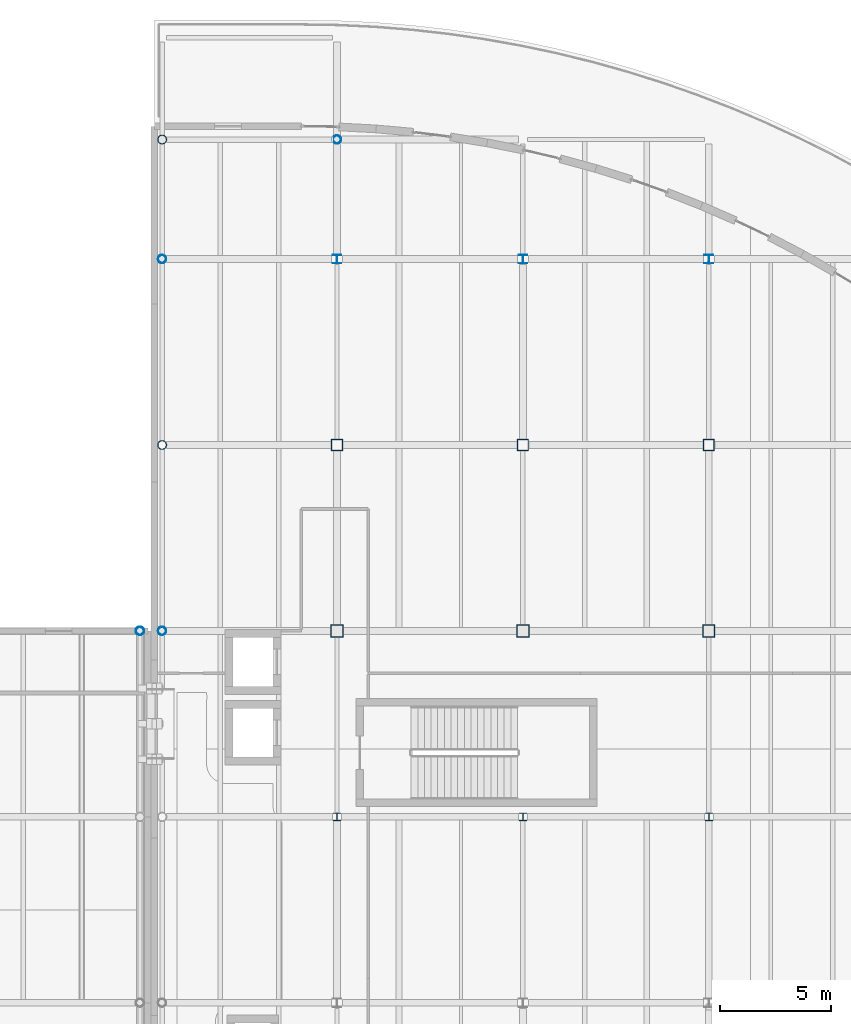
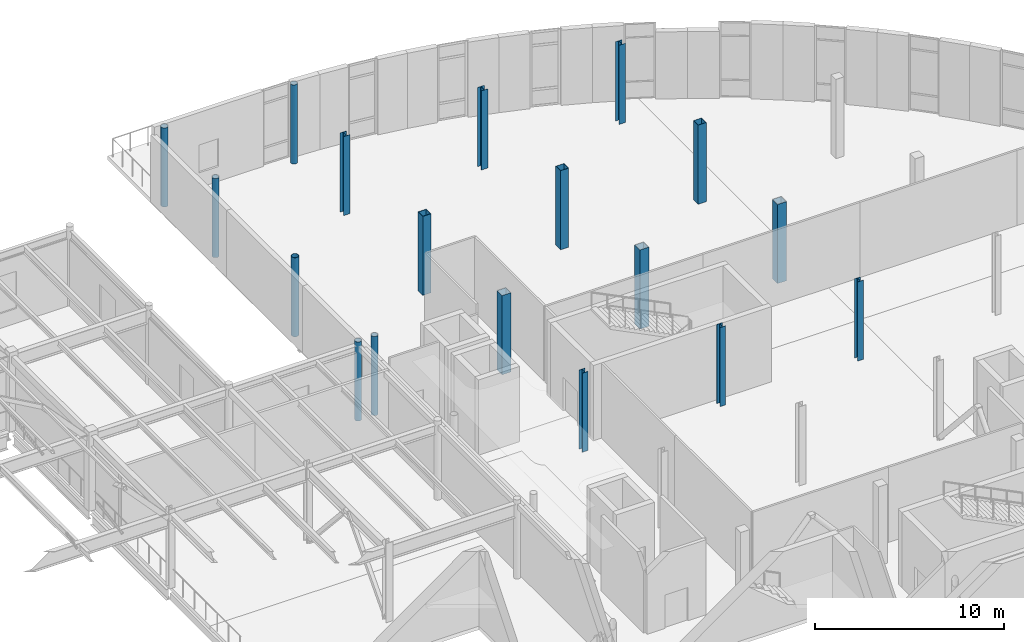
# One storey, part 9 of 103: 18 columns.
"""IFC4 building model written with IfcOpenShell, lengths in metres."""

import ifcopenshell
import ifcopenshell.guid

model = None  # the IFC model being written
_history = None  # IfcOwnerHistory: only IFC2X3 demands one
_inside = {}  # id of a spatial element -> (the spatial element, [elements in it])
_under = {}  # id of a project, library or spatial element -> (it, [spatial elements below it])
_declared = {}  # id of a project -> (the project, [libraries it declares])
_typed = {}  # id of a type object -> (the type object, [elements of that type])
_made_of = {}  # id of a material, layer set ... -> (it, [elements and type objects made of it])


def new_model(schema):
    """Start an empty IFC model of exactly this schema.

    Asked for "IFC4X3", IfcOpenShell would pick the latest addendum, in which some entities
    have other attributes; the version numbers below select the first issue.
    IFC2X3 requires an IfcOwnerHistory on every rooted entity: one is made here for all.
    """
    global model, _history
    if schema == "IFC4X3":
        model = ifcopenshell.file(schema_version=(4, 3, 0, 0))
    else:
        model = ifcopenshell.file(schema=schema)
    _inside.clear()
    _under.clear()
    _declared.clear()
    _typed.clear()
    _made_of.clear()
    _history = None
    if model.schema == "IFC2X3":
        org = make("IfcOrganization", Name="unknown")
        user = make(
            "IfcPersonAndOrganization",
            ThePerson=make("IfcPerson", FamilyName="unknown"),
            TheOrganization=org,
        )
        app = make(
            "IfcApplication",
            ApplicationDeveloper=org,
            Version="unknown",
            ApplicationFullName="unknown",
            ApplicationIdentifier="unknown",
        )
        _history = make(
            "IfcOwnerHistory",
            OwningUser=user,
            OwningApplication=app,
            ChangeAction="ADDED",
            CreationDate=0,
        )
    return model


def make(cls, **values):
    """One entity of the class cls with the attributes given. An attribute that is None is left unset."""
    return model.create_entity(
        cls, **{name: value for name, value in values.items() if value is not None}
    )


def rooted(cls, **values):
    """An entity with a GlobalId (a new one), such as an element, a storey or a relation."""
    return make(cls, GlobalId=ifcopenshell.guid.new(), OwnerHistory=_history, **values)


def si_unit(unit_type, name, prefix=None):
    """IfcSIUnit, for example si_unit("LENGTHUNIT", "METRE", prefix="MILLI")."""
    return make("IfcSIUnit", UnitType=unit_type, Prefix=prefix, Name=name)


def assignment(units):
    """IfcUnitAssignment: the units of a project."""
    return None if units is None else make("IfcUnitAssignment", Units=units)


def point(xyz):
    """IfcCartesianPoint."""
    return None if xyz is None else make("IfcCartesianPoint", Coordinates=xyz)


def direction(xyz):
    """IfcDirection."""
    return None if xyz is None else make("IfcDirection", DirectionRatios=xyz)


def frame(location, z_axis=None, x_axis=None):
    """IfcAxis2Placement3D, a coordinate frame: its origin and axes. An axis left out is left unset."""
    return make(
        "IfcAxis2Placement3D",
        Location=point(location),
        Axis=direction(z_axis),
        RefDirection=direction(x_axis),
    )


def frame_2d(location, x_axis=None):
    """IfcAxis2Placement2D, a coordinate frame in the plane: its origin and x axis."""
    return make(
        "IfcAxis2Placement2D", Location=point(location), RefDirection=direction(x_axis)
    )


def origin():
    """The frame at (0, 0, 0) with its axes left unset."""
    return frame((0.0, 0.0, 0.0))


def origin_2d():
    """The frame at (0, 0) in the plane with its x axis left unset."""
    return frame_2d((0.0, 0.0))


def place(relative_to, where):
    """IfcLocalPlacement: puts the frame where relative to a parent placement (None: the world)."""
    return make(
        "IfcLocalPlacement", PlacementRelTo=relative_to, RelativePlacement=where
    )


def context(
    kind, dimensions, precision=None, world=None, true_north=None, identifier=None
):
    """IfcGeometricRepresentationContext, for example the 3D "Model" context."""
    return make(
        "IfcGeometricRepresentationContext",
        ContextIdentifier=identifier,
        ContextType=kind,
        CoordinateSpaceDimension=dimensions,
        Precision=precision,
        WorldCoordinateSystem=world,
        TrueNorth=true_north,
    )


def subcontext(parent, identifier, kind, view, scale=None):
    """IfcGeometricRepresentationSubContext, for example "Body" below "Model"."""
    return make(
        "IfcGeometricRepresentationSubContext",
        ContextIdentifier=identifier,
        ContextType=kind,
        ParentContext=parent,
        TargetScale=scale,
        TargetView=view,
    )


def project(units=None, contexts=None):
    """IfcProject with its units and contexts."""
    return rooted(
        "IfcProject",
        Name="project",
        RepresentationContexts=contexts,
        UnitsInContext=assignment(units),
    )


def spatial(cls, under=None, at=None, **own):
    """A site, building, storey or space (cls), placed at a placement, below another one or the project."""
    s = rooted(cls, ObjectPlacement=at, **own)
    if under is not None:
        _under.setdefault(under.id(), (under, []))[1].append(s)
    return s


def profile(cls, at=None, kind="AREA", **sizes):
    """A parametric profile (cls). Its sizes go by their IFC names, for example OverallWidth=200.0."""
    return make(cls, ProfileType=kind, Position=at, **sizes)


def hollow_rectangle(**sizes):
    """IfcRectangleHollowProfileDef."""
    return profile("IfcRectangleHollowProfileDef", **sizes)


def hollow_circle(**sizes):
    """IfcCircleHollowProfileDef."""
    return profile("IfcCircleHollowProfileDef", **sizes)


def i_section(**sizes):
    """IfcIShapeProfileDef."""
    return profile("IfcIShapeProfileDef", **sizes)


def extrude(swept, where, along, depth):
    """IfcExtrudedAreaSolid: the profile swept, set in the frame where, extruded along a direction by depth."""
    return make(
        "IfcExtrudedAreaSolid",
        SweptArea=swept,
        Position=where,
        ExtrudedDirection=direction(along),
        Depth=depth,
    )


def shape(context_of_items, identifier, shape_type, items):
    """IfcShapeRepresentation: the items that make up one representation, for example the "Body"."""
    return make(
        "IfcShapeRepresentation",
        ContextOfItems=context_of_items,
        RepresentationIdentifier=identifier,
        RepresentationType=shape_type,
        Items=items,
    )


def material(Name=None, Category=None):
    """IfcMaterial."""
    return make("IfcMaterial", Name=Name, Category=Category)


def material_profile(
    of_material, cross_section, Name=None, Category=None, Priority=None
):
    """IfcMaterialProfile: a cross section and its material."""
    return make(
        "IfcMaterialProfile",
        Name=Name,
        Material=of_material,
        Profile=cross_section,
        Priority=Priority,
        Category=Category,
    )


def profile_set(profiles, Name=None, composite=None):
    """IfcMaterialProfileSet."""
    return make(
        "IfcMaterialProfileSet",
        Name=Name,
        MaterialProfiles=profiles,
        CompositeProfile=composite,
    )


def made_of(thing, what):
    """Note that an element or type object is made of a material, layer set ...; save() writes the relation."""
    if what is not None:
        _made_of.setdefault(what.id(), (what, []))[1].append(thing)
    return thing


def type_object(cls, material=None, **own):
    """A type object (cls), such as IfcWallType, which elements share."""
    return made_of(rooted(cls, **own), material)


def element(
    cls,
    number,
    at=None,
    inside=None,
    cuts=None,
    type_object=None,
    material=None,
    context=None,
    identifier="Body",
    shape_type=None,
    held_by="IfcProductDefinitionShape",
    body=None,
    shapes=None,
    **own,
):
    """One element of the class cls, such as IfcWall. Its Tag is "e" and its number.

    at: its placement. inside: the storey or other place that contains it. cuts: it is an
    opening in that element (IfcRelVoidsElement). A single representation is given by context,
    identifier, shape_type and body (its items); several are given by shapes. held_by: the class
    of the entity that holds the representations. save() writes the other relations.
    """
    e = rooted(cls, Tag="e%d" % number, ObjectPlacement=at, **own)
    if body is not None:
        shapes = [shape(context, identifier, shape_type, body)]
    if shapes is not None:
        e.Representation = make(held_by, Representations=shapes)
    if inside is not None:
        _inside.setdefault(inside.id(), (inside, []))[1].append(e)
    if cuts is not None:
        rooted(
            "IfcRelVoidsElement", RelatingBuildingElement=cuts, RelatedOpeningElement=e
        )
    if type_object is not None:
        _typed.setdefault(type_object.id(), (type_object, []))[1].append(e)
    return made_of(e, material)


def aggregate(whole, parts):
    """IfcRelAggregates: a whole, such as a stair, and the parts it consists of."""
    return rooted("IfcRelAggregates", RelatingObject=whole, RelatedObjects=parts)


def save(model, path):
    """Write the relations noted so far, then the file.

    IfcRelAggregates (storeys below a building ...), IfcRelContainedInSpatialStructure (elements
    in a storey), IfcRelDefinesByType, IfcRelAssociatesMaterial and IfcRelDeclares: one each for
    every whole, place, type object, material and project.
    """
    for whole, parts in _under.values():
        aggregate(whole, parts)
    for where, things in _inside.values():
        rooted(
            "IfcRelContainedInSpatialStructure",
            RelatedElements=things,
            RelatingStructure=where,
        )
    for kind, things in _typed.values():
        rooted("IfcRelDefinesByType", RelatedObjects=things, RelatingType=kind)
    for what, things in _made_of.values():
        rooted("IfcRelAssociatesMaterial", RelatedObjects=things, RelatingMaterial=what)
    for by, libraries in _declared.values():
        rooted("IfcRelDeclares", RelatingContext=by, RelatedDefinitions=libraries)
    model.write(path)


model = new_model("IFC4")

# Units and contexts
model_context = context("Model", 3, precision=1e-05, world=origin(), true_north=direction((0.0, 1.0)))
body_context = subcontext(model_context, "Body", "Model", "MODEL_VIEW")
ifc_project = project(units=[si_unit("LENGTHUNIT", "METRE"), si_unit("AREAUNIT", "SQUARE_METRE"), si_unit("VOLUMEUNIT", "CUBIC_METRE"), si_unit("PLANEANGLEUNIT", "RADIAN"), si_unit("MASSUNIT", "GRAM", prefix="KILO"), si_unit("THERMODYNAMICTEMPERATUREUNIT", "KELVIN")], contexts=[model_context])

# Site, building, storey
site_placement = place(None, origin())
site = spatial("IfcSite", under=ifc_project, at=site_placement, CompositionType="ELEMENT")
building_placement = place(site_placement, origin())
building = spatial("IfcBuilding", under=site, at=building_placement, Name="Lustrewick Department Store", CompositionType="ELEMENT")
storey_placement = place(building_placement, frame((0.0, 0.0, 16.5)))
storey = spatial("IfcBuildingStorey", under=building, at=storey_placement, Name="L04", CompositionType="ELEMENT", Elevation=16.5)

# Columns
ifc_material_1 = material(Name="Structural steel Q355C", Category="steel")
ifc_material_profile_1 = material_profile(ifc_material_1, hollow_rectangle(XDim=0.550048828125, YDim=0.550048828125, WallThickness=0.02197265625, at=origin_2d()), Name="BOX 550x550x22")
ifc_profile_set_1 = profile_set([ifc_material_profile_1], Name="Structural steel Q355C")
column_type_1 = type_object("IfcColumnType", Name="C05", PredefinedType="COLUMN", material=ifc_profile_set_1)
for number, where, z_axis, x_axis, name in (
    (1, (117.60009765625, 84.0, 0.0), (0.0, 0.0, 1.0), (1.0, 0.0, 0.0), "L04 V4 Column C05"),
    (2, (126.0, 84.0, 0.0), (0.0, 0.0, 1.0), (1.0, 0.0, 0.0), "L04 V4 Column C05"),
    (3, (134.39990234375, 84.0, 0.0), (0.0, 0.0, 1.0), (1.0, 0.0, 0.0), "L04 V4 Column C05"),
):
    element("IfcColumn", number, at=place(storey_placement, frame(where, z_axis=z_axis, x_axis=x_axis)), inside=storey, type_object=column_type_1, Name=name, PredefinedType="COLUMN", context=body_context, shape_type="SweptSolid", body=[
        extrude(hollow_rectangle(XDim=0.550048828125, YDim=0.550048828125, WallThickness=0.02197265625, at=origin_2d()), origin(), (0.0, 0.0, 1.0), 5.10009765625),
    ])
ifc_material_2 = material(Name="Structural steel Q355B", Category="steel")
ifc_material_profile_2 = material_profile(ifc_material_2, hollow_rectangle(XDim=0.5, YDim=0.5, WallThickness=0.02001953125, at=origin_2d()), Name="BOX 500x500x20")
ifc_profile_set_2 = profile_set([ifc_material_profile_2], Name="Structural steel Q355B")
column_type_2 = type_object("IfcColumnType", Name="C06", PredefinedType="COLUMN", material=ifc_profile_set_2)
for number, where, z_axis, x_axis, name in (
    (4, (117.60009765625, 92.39990234375, 0.0), (0.0, 0.0, 1.0), (1.0, 0.0, 0.0), "L04 V4 Column C06"),
    (5, (126.0, 92.39990234375, 0.0), (0.0, 0.0, 1.0), (1.0, 0.0, 0.0), "L04 V4 Column C06"),
    (6, (134.39990234375, 92.39990234375, 0.0), (0.0, 0.0, 1.0), (1.0, 0.0, 0.0), "L04 V4 Column C06"),
):
    element("IfcColumn", number, at=place(storey_placement, frame(where, z_axis=z_axis, x_axis=x_axis)), inside=storey, type_object=column_type_2, Name=name, PredefinedType="COLUMN", context=body_context, shape_type="SweptSolid", body=[
        extrude(hollow_rectangle(XDim=0.5, YDim=0.5, WallThickness=0.02001953125, at=origin_2d()), origin(), (0.0, 0.0, 1.0), 5.10009765625),
    ])
ifc_material_profile_3 = material_profile(ifc_material_2, i_section(OverallWidth=0.402099609375, OverallDepth=0.387939453125, WebThickness=0.014892578125, FlangeThickness=0.014892578125, FilletRadius=0.02197265625, at=origin_2d()), Name="HW 388x402x15x15")
ifc_profile_set_3 = profile_set([ifc_material_profile_3], Name="Structural steel Q355B")
column_type_3 = type_object("IfcColumnType", Name="C12", PredefinedType="COLUMN", material=ifc_profile_set_3)
for number, where, z_axis, x_axis, name in (
    (7, (117.60009765625, 100.800048828125, 0.0), (0.0, 0.0, 1.0), (1.0, 0.0, 0.0), "L04 V4 Column C12"),
    (8, (126.0, 100.800048828125, 0.0), (0.0, 0.0, 1.0), (1.0, 0.0, 0.0), "L04 V4 Column C12"),
    (9, (134.39990234375, 100.800048828125, 0.0), (0.0, 0.0, 1.0), (1.0, 0.0, 0.0), "L04 V4 Column C12"),
):
    element("IfcColumn", number, at=place(storey_placement, frame(where, z_axis=z_axis, x_axis=x_axis)), inside=storey, type_object=column_type_3, Name=name, PredefinedType="COLUMN", context=body_context, shape_type="SweptSolid", body=[
        extrude(i_section(OverallWidth=0.402099609375, OverallDepth=0.387939453125, WebThickness=0.014892578125, FlangeThickness=0.014892578125, FilletRadius=0.02197265625, at=origin_2d()), origin(), (0.0, 0.0, 1.0), 5.10009765625),
    ])
ifc_material_profile_4 = material_profile(ifc_material_2, i_section(OverallWidth=0.35009765625, OverallDepth=0.35009765625, WebThickness=0.011962890625, FlangeThickness=0.01904296875, FilletRadius=0.02001953125, at=origin_2d()), Name="HW 350x350x12x19")
ifc_profile_set_4 = profile_set([ifc_material_profile_4], Name="Structural steel Q355B")
column_type_4 = type_object("IfcColumnType", Name="C13", PredefinedType="COLUMN", material=ifc_profile_set_4)
for number, where, z_axis, x_axis, name in (
    (10, (117.60009765625, 75.60009765625, 0.0), (0.0, 0.0, 1.0), (1.0, 0.0, 0.0), "L04 V4 Column C13"),
    (11, (126.0, 75.60009765625, 0.0), (0.0, 0.0, 1.0), (1.0, 0.0, 0.0), "L04 V4 Column C13"),
    (12, (134.39990234375, 75.60009765625, 0.0), (0.0, 0.0, 1.0), (1.0, 0.0, 0.0), "L04 V4 Column C13"),
):
    element("IfcColumn", number, at=place(storey_placement, frame(where, z_axis=z_axis, x_axis=x_axis)), inside=storey, type_object=column_type_4, Name=name, PredefinedType="COLUMN", context=body_context, shape_type="SweptSolid", body=[
        extrude(i_section(OverallWidth=0.35009765625, OverallDepth=0.35009765625, WebThickness=0.011962890625, FlangeThickness=0.01904296875, FilletRadius=0.02001953125, at=origin_2d()), origin(), (0.0, 0.0, 1.0), 5.10009765625),
    ])
ifc_material_profile_5 = material_profile(ifc_material_1, hollow_circle(Radius=0.202880859375, WallThickness=0.01611328125, at=origin_2d()), Name="CHS 406x16")
ifc_profile_set_5 = profile_set([ifc_material_profile_5], Name="Structural steel Q355C")
column_type_5 = type_object("IfcColumnType", Name="CE03", PredefinedType="COLUMN", material=ifc_profile_set_5)
for number, where, z_axis, x_axis, name in (
    (13, (109.699951171875, 92.39990234375, 0.0), (0.0, 0.0, 1.0), (1.0, 0.0, 0.0), "L04 V4 Column CE03"),
    (14, (109.699951171875, 106.199951171875, 0.0), (0.0, 0.0, 1.0), (1.0, 0.0, 0.0), "L04 V4 Column CE03"),
):
    element("IfcColumn", number, at=place(storey_placement, frame(where, z_axis=z_axis, x_axis=x_axis)), inside=storey, type_object=column_type_5, Name=name, PredefinedType="COLUMN", context=body_context, shape_type="SweptSolid", body=[
        extrude(hollow_circle(Radius=0.202880859375, WallThickness=0.01611328125, at=origin_2d()), origin(), (0.0, 0.0, 1.0), 5.10009765625),
    ])
ifc_material_profile_6 = material_profile(ifc_material_2, hollow_circle(Radius=0.1884765625, WallThickness=0.013916015625, at=origin_2d()), Name="CHS 377x14")
ifc_profile_set_6 = profile_set([ifc_material_profile_6], Name="Structural steel Q355B")
column_type_6 = type_object("IfcColumnType", Name="CE04", PredefinedType="COLUMN", material=ifc_profile_set_6)
for number, where, z_axis, x_axis, name in (
    (15, (108.699951171875, 84.0, 0.0), (0.0, 0.0, 1.0), (1.0, 0.0, 0.0), "L04 V2 Column CE04"),
    (16, (109.699951171875, 84.0, 0.0), (0.0, 0.0, 1.0), (1.0, 0.0, 0.0), "L04 V4 Column CE04"),
    (17, (109.699951171875, 100.800048828125, 0.0), (0.0, 0.0, 1.0), (1.0, 0.0, 0.0), "L04 V4 Column CE04"),
    (18, (117.60009765625, 106.199951171875, 0.0), (0.0, 0.0, 1.0), (1.0, 0.0, 0.0), "L04 V4 Column CE04"),
):
    element("IfcColumn", number, at=place(storey_placement, frame(where, z_axis=z_axis, x_axis=x_axis)), inside=storey, type_object=column_type_6, Name=name, PredefinedType="COLUMN", context=body_context, shape_type="SweptSolid", body=[
        extrude(hollow_circle(Radius=0.1884765625, WallThickness=0.013916015625, at=origin_2d()), origin(), (0.0, 0.0, 1.0), 5.10009765625),
    ])

save(model, "model.ifc")
